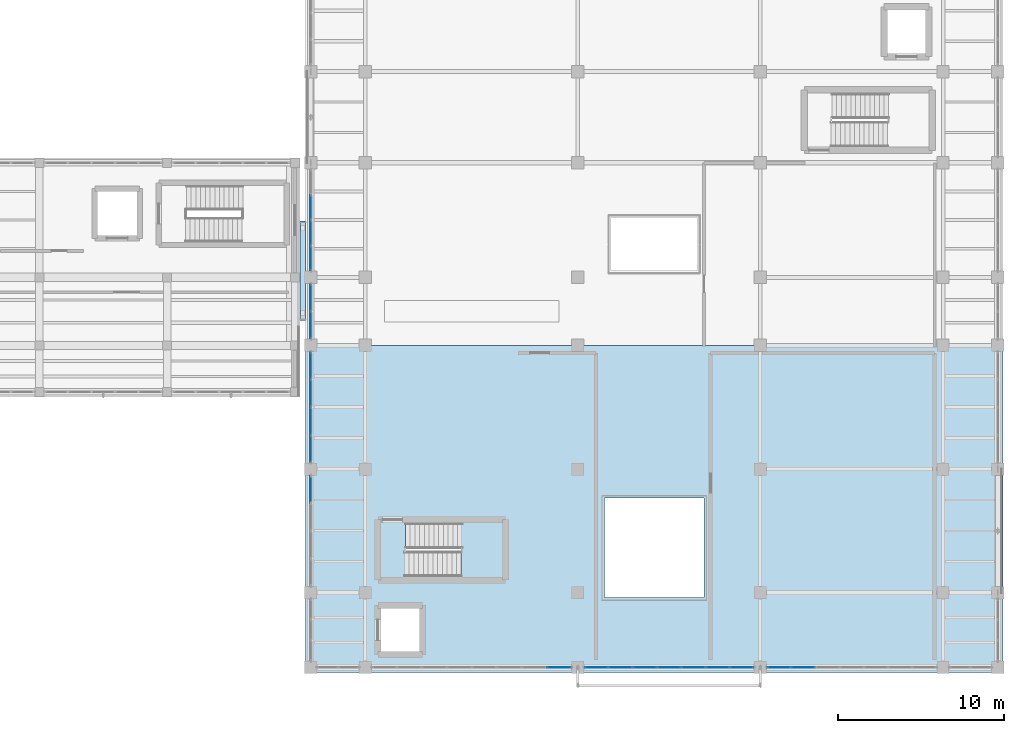
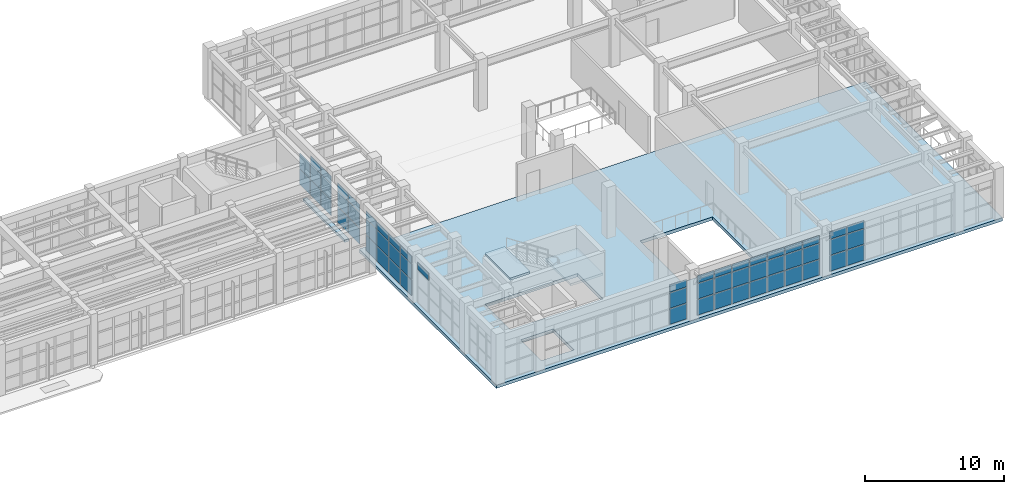
# One storey, part 59 of 85: 57 plates, 4 slabs, 8 elements without a shape of their own.
"""IFC4 building model written with IfcOpenShell, lengths in metres."""

from ifc_helpers import new_model, si_unit, direction, frame, origin, origin_2d, place, context, subcontext, project, spatial, polyline, rectangle, outline, extrude, material, layer, layer_set, type_object, element, aggregate, save


model = new_model("IFC4")

# Units and contexts
model_context = context("Model", 3, precision=1e-05, world=origin(), true_north=direction((0.0, 1.0)))
body_context = subcontext(model_context, "Body", "Model", "MODEL_VIEW")
ifc_project = project(units=[si_unit("LENGTHUNIT", "METRE"), si_unit("AREAUNIT", "SQUARE_METRE"), si_unit("VOLUMEUNIT", "CUBIC_METRE"), si_unit("PLANEANGLEUNIT", "RADIAN"), si_unit("MASSUNIT", "GRAM", prefix="KILO")], contexts=[model_context])

# Site, building, storey
site_placement = place(None, origin())
site = spatial("IfcSite", under=ifc_project, at=site_placement, CompositionType="ELEMENT")
building_placement = place(site_placement, origin())
building = spatial("IfcBuilding", under=site, at=building_placement, Name="Candilejo Ridge Gondola Terminal", CompositionType="ELEMENT")
storey_placement = place(building_placement, frame((0.0, 0.0, 4.5)))
storey = spatial("IfcBuildingStorey", under=building, at=storey_placement, Name="L01", CompositionType="ELEMENT", Elevation=4.5)

# Curtain wall, plate
ifc_material_1 = material(Name="Anodised aluminium AA 6063-T6", Category="aluminium")
ifc_layer_1 = layer(ifc_material_1, 0.169921875)
ifc_layer_set_1 = layer_set([ifc_layer_1], Name="ARC-CW-HALL-3800-670X359")
curtain_wall_type_1 = type_object("IfcCurtainWallType", Name="ARC-CW-HALL-3800-670X359", PredefinedType="NOTDEFINED", material=ifc_layer_set_1)
curtain_wall_1_placement = place(storey_placement, origin())
curtain_wall_1 = element("IfcCurtainWall", 1, at=curtain_wall_1_placement, inside=storey, type_object=curtain_wall_type_1, Name="Curtain wall V4 L01-112", PredefinedType="NOTDEFINED")
ifc_material_2 = material(Name="Low-E laminated double glazing 6+12A+6+1.52PVB+6 mm", Category="glass")
ifc_layer_2 = layer(ifc_material_2, 0.028076171875)
ifc_layer_set_2 = layer_set([ifc_layer_2], Name="ARC-CW-GLAZ-PANEL")
plate_type = type_object("IfcPlateType", Name="ARC-CW-GLAZ-PANEL", PredefinedType="CURTAIN_PANEL", material=ifc_layer_set_2)
plate_1_placement = place(storey_placement, frame((133.89990234375, 17.021240234375, 2.880126953125), z_axis=(0.0, 0.0, 1.0), x_axis=(0.0, 1.0, 0.0)))
plate_1 = element("IfcPlate", 2, at=plate_1_placement, type_object=plate_type, Name="CW-67X35 panel 4.3", PredefinedType="CURTAIN_PANEL", context=body_context, shape_type="SweptSolid", body=[
    extrude(rectangle(XDim=1.577392578125, YDim=0.028076171875, at=origin_2d()), origin(), (0.0, 0.0, 1.0), 0.64990234375),
])
aggregate(curtain_wall_1, [plate_1])

# Curtain wall, plates
curtain_wall_2_placement = place(storey_placement, origin())
curtain_wall_2 = element("IfcCurtainWall", 3, at=curtain_wall_2_placement, inside=storey, type_object=curtain_wall_type_1, Name="Curtain wall V4 L01-113", PredefinedType="NOTDEFINED")
plate_2_placement = place(storey_placement, frame((133.89990234375, 19.478759765625, 0.06005859375), z_axis=(0.0, 0.0, 1.0), x_axis=(0.0, 1.0, 0.0)))
plate_2 = element("IfcPlate", 4, at=plate_2_placement, type_object=plate_type, Name="CW-67X35 panel 1.1", PredefinedType="CURTAIN_PANEL", context=body_context, shape_type="SweptSolid", body=[
    extrude(rectangle(XDim=1.577392578125, YDim=0.028076171875, at=origin_2d()), origin(), (0.0, 0.0, 1.0), 1.360107421875),
])
plate_3_placement = place(storey_placement, frame((133.89990234375, 19.478759765625, 1.47998046875), z_axis=(0.0, 0.0, 1.0), x_axis=(0.0, 1.0, 0.0)))
plate_3 = element("IfcPlate", 5, at=plate_3_placement, type_object=plate_type, Name="CW-67X35 panel 1.2", PredefinedType="CURTAIN_PANEL", context=body_context, shape_type="SweptSolid", body=[
    extrude(rectangle(XDim=1.577392578125, YDim=0.028076171875, at=origin_2d()), origin(), (0.0, 0.0, 1.0), 1.340087890625),
])
plate_4_placement = place(storey_placement, frame((133.89990234375, 19.478759765625, 2.880126953125), z_axis=(0.0, 0.0, 1.0), x_axis=(0.0, 1.0, 0.0)))
plate_4 = element("IfcPlate", 6, at=plate_4_placement, type_object=plate_type, Name="CW-67X35 panel 1.3", PredefinedType="CURTAIN_PANEL", context=body_context, shape_type="SweptSolid", body=[
    extrude(rectangle(XDim=1.577392578125, YDim=0.028076171875, at=origin_2d()), origin(), (0.0, 0.0, 1.0), 0.64990234375),
])
plate_5_placement = place(storey_placement, frame((133.89990234375, 21.137451171875, 0.06005859375), z_axis=(0.0, 0.0, 1.0), x_axis=(0.0, 1.0, 0.0)))
plate_5 = element("IfcPlate", 7, at=plate_5_placement, type_object=plate_type, Name="CW-67X35 panel 2.1", PredefinedType="CURTAIN_PANEL", context=body_context, shape_type="SweptSolid", body=[
    extrude(rectangle(XDim=1.610107421875, YDim=0.028076171875, at=origin_2d()), origin(), (0.0, 0.0, 1.0), 1.360107421875),
])
plate_6_placement = place(storey_placement, frame((133.89990234375, 21.137451171875, 1.47998046875), z_axis=(0.0, 0.0, 1.0), x_axis=(0.0, 1.0, 0.0)))
plate_6 = element("IfcPlate", 8, at=plate_6_placement, type_object=plate_type, Name="CW-67X35 panel 2.2", PredefinedType="CURTAIN_PANEL", context=body_context, shape_type="SweptSolid", body=[
    extrude(rectangle(XDim=1.610107421875, YDim=0.028076171875, at=origin_2d()), origin(), (0.0, 0.0, 1.0), 1.340087890625),
])
plate_7_placement = place(storey_placement, frame((133.89990234375, 21.137451171875, 2.880126953125), z_axis=(0.0, 0.0, 1.0), x_axis=(0.0, 1.0, 0.0)))
plate_7 = element("IfcPlate", 9, at=plate_7_placement, type_object=plate_type, Name="CW-67X35 panel 2.3", PredefinedType="CURTAIN_PANEL", context=body_context, shape_type="SweptSolid", body=[
    extrude(rectangle(XDim=1.610107421875, YDim=0.028076171875, at=origin_2d()), origin(), (0.0, 0.0, 1.0), 0.64990234375),
])
plate_8_placement = place(storey_placement, frame((133.89990234375, 22.8125, 0.06005859375), z_axis=(0.0, 0.0, 1.0), x_axis=(0.0, 1.0, 0.0)))
plate_8 = element("IfcPlate", 10, at=plate_8_placement, type_object=plate_type, Name="CW-67X35 panel 3.1", PredefinedType="CURTAIN_PANEL", context=body_context, shape_type="SweptSolid", body=[
    extrude(rectangle(XDim=1.610107421875, YDim=0.028076171875, at=origin_2d()), origin(), (0.0, 0.0, 1.0), 1.360107421875),
])
plate_9_placement = place(storey_placement, frame((133.89990234375, 22.8125, 1.47998046875), z_axis=(0.0, 0.0, 1.0), x_axis=(0.0, 1.0, 0.0)))
plate_9 = element("IfcPlate", 11, at=plate_9_placement, type_object=plate_type, Name="CW-67X35 panel 3.2", PredefinedType="CURTAIN_PANEL", context=body_context, shape_type="SweptSolid", body=[
    extrude(rectangle(XDim=1.610107421875, YDim=0.028076171875, at=origin_2d()), origin(), (0.0, 0.0, 1.0), 1.340087890625),
])
plate_10_placement = place(storey_placement, frame((133.89990234375, 22.8125, 2.880126953125), z_axis=(0.0, 0.0, 1.0), x_axis=(0.0, 1.0, 0.0)))
plate_10 = element("IfcPlate", 12, at=plate_10_placement, type_object=plate_type, Name="CW-67X35 panel 3.3", PredefinedType="CURTAIN_PANEL", context=body_context, shape_type="SweptSolid", body=[
    extrude(rectangle(XDim=1.610107421875, YDim=0.028076171875, at=origin_2d()), origin(), (0.0, 0.0, 1.0), 0.64990234375),
])
plate_11_placement = place(storey_placement, frame((133.89990234375, 24.47119140625, 0.06005859375), z_axis=(0.0, 0.0, 1.0), x_axis=(0.0, 1.0, 0.0)))
plate_11 = element("IfcPlate", 13, at=plate_11_placement, type_object=plate_type, Name="CW-67X35 panel 4.1", PredefinedType="CURTAIN_PANEL", context=body_context, shape_type="SweptSolid", body=[
    extrude(rectangle(XDim=1.577392578125, YDim=0.028076171875, at=origin_2d()), origin(), (0.0, 0.0, 1.0), 1.360107421875),
])
plate_12_placement = place(storey_placement, frame((133.89990234375, 24.47119140625, 1.47998046875), z_axis=(0.0, 0.0, 1.0), x_axis=(0.0, 1.0, 0.0)))
plate_12 = element("IfcPlate", 14, at=plate_12_placement, type_object=plate_type, Name="CW-67X35 panel 4.2", PredefinedType="CURTAIN_PANEL", context=body_context, shape_type="SweptSolid", body=[
    extrude(rectangle(XDim=1.577392578125, YDim=0.028076171875, at=origin_2d()), origin(), (0.0, 0.0, 1.0), 1.340087890625),
])
plate_13_placement = place(storey_placement, frame((133.89990234375, 24.47119140625, 2.880126953125), z_axis=(0.0, 0.0, 1.0), x_axis=(0.0, 1.0, 0.0)))
plate_13 = element("IfcPlate", 15, at=plate_13_placement, type_object=plate_type, Name="CW-67X35 panel 4.3", PredefinedType="CURTAIN_PANEL", context=body_context, shape_type="SweptSolid", body=[
    extrude(rectangle(XDim=1.577392578125, YDim=0.028076171875, at=origin_2d()), origin(), (0.0, 0.0, 1.0), 0.64990234375),
])
aggregate(curtain_wall_2, [plate_2, plate_3, plate_4, plate_5, plate_6, plate_7, plate_8, plate_9, plate_10, plate_11, plate_12, plate_13])

ifc_material_3 = material(Name="Anodised aluminium AA 6063-T6", Category="aluminium")
ifc_layer_3 = layer(ifc_material_3, 0.169921875)
ifc_layer_set_3 = layer_set([ifc_layer_3], Name="ARC-CW-HALL-3800-335X359")
curtain_wall_type_2 = type_object("IfcCurtainWallType", Name="ARC-CW-HALL-3800-335X359", PredefinedType="NOTDEFINED", material=ifc_layer_set_3)
curtain_wall_3_placement = place(storey_placement, origin())
curtain_wall_3 = element("IfcCurtainWall", 16, at=curtain_wall_3_placement, inside=storey, type_object=curtain_wall_type_2, Name="Curtain wall V4 L01-115", PredefinedType="NOTDEFINED")
plate_14_placement = place(storey_placement, frame((133.89990234375, 26.9287109375, 0.06005859375), z_axis=(0.0, 0.0, 1.0), x_axis=(0.0, 1.0, 0.0)))
plate_14 = element("IfcPlate", 17, at=plate_14_placement, type_object=plate_type, Name="CW-33X35 panel 1.1", PredefinedType="CURTAIN_PANEL", context=body_context, shape_type="SweptSolid", body=[
    extrude(rectangle(XDim=1.577392578125, YDim=0.028076171875, at=origin_2d()), origin(), (0.0, 0.0, 1.0), 1.360107421875),
])
plate_15_placement = place(storey_placement, frame((133.89990234375, 26.9287109375, 1.47998046875), z_axis=(0.0, 0.0, 1.0), x_axis=(0.0, 1.0, 0.0)))
plate_15 = element("IfcPlate", 18, at=plate_15_placement, type_object=plate_type, Name="CW-33X35 panel 1.2", PredefinedType="CURTAIN_PANEL", context=body_context, shape_type="SweptSolid", body=[
    extrude(rectangle(XDim=1.577392578125, YDim=0.028076171875, at=origin_2d()), origin(), (0.0, 0.0, 1.0), 1.340087890625),
])
plate_16_placement = place(storey_placement, frame((133.89990234375, 26.9287109375, 2.880126953125), z_axis=(0.0, 0.0, 1.0), x_axis=(0.0, 1.0, 0.0)))
plate_16 = element("IfcPlate", 19, at=plate_16_placement, type_object=plate_type, Name="CW-33X35 panel 1.3", PredefinedType="CURTAIN_PANEL", context=body_context, shape_type="SweptSolid", body=[
    extrude(rectangle(XDim=1.577392578125, YDim=0.028076171875, at=origin_2d()), origin(), (0.0, 0.0, 1.0), 0.64990234375),
])
plate_17_placement = place(storey_placement, frame((133.89990234375, 28.5712890625, 0.06005859375), z_axis=(0.0, 0.0, 1.0), x_axis=(0.0, 1.0, 0.0)))
plate_17 = element("IfcPlate", 20, at=plate_17_placement, type_object=plate_type, Name="CW-33X35 panel 2.1", PredefinedType="CURTAIN_PANEL", context=body_context, shape_type="SweptSolid", body=[
    extrude(rectangle(XDim=1.577392578125, YDim=0.028076171875, at=origin_2d()), origin(), (0.0, 0.0, 1.0), 1.360107421875),
])
plate_18_placement = place(storey_placement, frame((133.89990234375, 28.5712890625, 1.47998046875), z_axis=(0.0, 0.0, 1.0), x_axis=(0.0, 1.0, 0.0)))
plate_18 = element("IfcPlate", 21, at=plate_18_placement, type_object=plate_type, Name="CW-33X35 panel 2.2", PredefinedType="CURTAIN_PANEL", context=body_context, shape_type="SweptSolid", body=[
    extrude(rectangle(XDim=1.577392578125, YDim=0.028076171875, at=origin_2d()), origin(), (0.0, 0.0, 1.0), 1.340087890625),
])
plate_19_placement = place(storey_placement, frame((133.89990234375, 28.5712890625, 2.880126953125), z_axis=(0.0, 0.0, 1.0), x_axis=(0.0, 1.0, 0.0)))
plate_19 = element("IfcPlate", 22, at=plate_19_placement, type_object=plate_type, Name="CW-33X35 panel 2.3", PredefinedType="CURTAIN_PANEL", context=body_context, shape_type="SweptSolid", body=[
    extrude(rectangle(XDim=1.577392578125, YDim=0.028076171875, at=origin_2d()), origin(), (0.0, 0.0, 1.0), 0.64990234375),
])
aggregate(curtain_wall_3, [plate_14, plate_15, plate_16, plate_17, plate_18, plate_19])

ifc_material_4 = material(Name="Anodised aluminium AA 6063-T6", Category="aluminium")
ifc_layer_4 = layer(ifc_material_4, 0.169921875)
ifc_layer_set_4 = layer_set([ifc_layer_4], Name="ARC-CW-HALL-3800-615X359")
curtain_wall_type_3 = type_object("IfcCurtainWallType", Name="ARC-CW-HALL-3800-615X359", PredefinedType="NOTDEFINED", material=ifc_layer_set_4)
curtain_wall_4_placement = place(storey_placement, origin())
curtain_wall_4 = element("IfcCurtainWall", 23, at=curtain_wall_4_placement, inside=storey, type_object=curtain_wall_type_3, Name="Curtain wall V4 L01-117", PredefinedType="NOTDEFINED")
plate_20_placement = place(storey_placement, frame((133.89990234375, 30.9599609375, 0.06005859375), z_axis=(0.0, 0.0, 1.0), x_axis=(0.0, 1.0, 0.0)))
plate_20 = element("IfcPlate", 24, at=plate_20_placement, type_object=plate_type, Name="CW-61X35 panel 1.1", PredefinedType="CURTAIN_PANEL", context=body_context, shape_type="SweptSolid", body=[
    extrude(rectangle(XDim=1.43994140625, YDim=0.028076171875, at=origin_2d()), origin(), (0.0, 0.0, 1.0), 1.360107421875),
])
plate_21_placement = place(storey_placement, frame((133.89990234375, 30.9599609375, 1.47998046875), z_axis=(0.0, 0.0, 1.0), x_axis=(0.0, 1.0, 0.0)))
plate_21 = element("IfcPlate", 25, at=plate_21_placement, type_object=plate_type, Name="CW-61X35 panel 1.2", PredefinedType="CURTAIN_PANEL", context=body_context, shape_type="SweptSolid", body=[
    extrude(rectangle(XDim=1.43994140625, YDim=0.028076171875, at=origin_2d()), origin(), (0.0, 0.0, 1.0), 1.340087890625),
])
plate_22_placement = place(storey_placement, frame((133.89990234375, 30.9599609375, 2.880126953125), z_axis=(0.0, 0.0, 1.0), x_axis=(0.0, 1.0, 0.0)))
plate_22 = element("IfcPlate", 26, at=plate_22_placement, type_object=plate_type, Name="CW-61X35 panel 1.3", PredefinedType="CURTAIN_PANEL", context=body_context, shape_type="SweptSolid", body=[
    extrude(rectangle(XDim=1.43994140625, YDim=0.028076171875, at=origin_2d()), origin(), (0.0, 0.0, 1.0), 0.64990234375),
])
plate_23_placement = place(storey_placement, frame((133.89990234375, 32.481201171875, 0.06005859375), z_axis=(0.0, 0.0, 1.0), x_axis=(0.0, 1.0, 0.0)))
plate_23 = element("IfcPlate", 27, at=plate_23_placement, type_object=plate_type, Name="CW-61X35 panel 2.1", PredefinedType="CURTAIN_PANEL", context=body_context, shape_type="SweptSolid", body=[
    extrude(rectangle(XDim=1.472412109375, YDim=0.028076171875, at=origin_2d()), origin(), (0.0, 0.0, 1.0), 1.360107421875),
])
plate_24_placement = place(storey_placement, frame((133.89990234375, 32.481201171875, 1.47998046875), z_axis=(0.0, 0.0, 1.0), x_axis=(0.0, 1.0, 0.0)))
plate_24 = element("IfcPlate", 28, at=plate_24_placement, type_object=plate_type, Name="CW-61X35 panel 2.2", PredefinedType="CURTAIN_PANEL", context=body_context, shape_type="SweptSolid", body=[
    extrude(rectangle(XDim=1.472412109375, YDim=0.028076171875, at=origin_2d()), origin(), (0.0, 0.0, 1.0), 1.340087890625),
])
plate_25_placement = place(storey_placement, frame((133.89990234375, 32.481201171875, 2.880126953125), z_axis=(0.0, 0.0, 1.0), x_axis=(0.0, 1.0, 0.0)))
plate_25 = element("IfcPlate", 29, at=plate_25_placement, type_object=plate_type, Name="CW-61X35 panel 2.3", PredefinedType="CURTAIN_PANEL", context=body_context, shape_type="SweptSolid", body=[
    extrude(rectangle(XDim=1.472412109375, YDim=0.028076171875, at=origin_2d()), origin(), (0.0, 0.0, 1.0), 0.64990234375),
])
plate_26_placement = place(storey_placement, frame((133.89990234375, 34.018798828125, 0.06005859375), z_axis=(0.0, 0.0, 1.0), x_axis=(0.0, 1.0, 0.0)))
plate_26 = element("IfcPlate", 30, at=plate_26_placement, type_object=plate_type, Name="CW-61X35 panel 3.1", PredefinedType="CURTAIN_PANEL", context=body_context, shape_type="SweptSolid", body=[
    extrude(rectangle(XDim=1.472412109375, YDim=0.028076171875, at=origin_2d()), origin(), (0.0, 0.0, 1.0), 1.360107421875),
])
plate_27_placement = place(storey_placement, frame((133.89990234375, 34.018798828125, 1.47998046875), z_axis=(0.0, 0.0, 1.0), x_axis=(0.0, 1.0, 0.0)))
plate_27 = element("IfcPlate", 31, at=plate_27_placement, type_object=plate_type, Name="CW-61X35 panel 3.2", PredefinedType="CURTAIN_PANEL", context=body_context, shape_type="SweptSolid", body=[
    extrude(rectangle(XDim=1.472412109375, YDim=0.028076171875, at=origin_2d()), origin(), (0.0, 0.0, 1.0), 1.340087890625),
])
aggregate(curtain_wall_4, [plate_20, plate_21, plate_22, plate_23, plate_24, plate_25, plate_26, plate_27])

ifc_material_5 = material(Name="Anodised aluminium AA 6063-T6", Category="aluminium")
ifc_layer_5 = layer(ifc_material_5, 0.169921875)
ifc_layer_set_5 = layer_set([ifc_layer_5], Name="ARC-CW-HALL-3800-1205X359")
curtain_wall_type_4 = type_object("IfcCurtainWallType", Name="ARC-CW-HALL-3800-1205X359", PredefinedType="NOTDEFINED", material=ifc_layer_set_5)
curtain_wall_5_placement = place(storey_placement, origin())
curtain_wall_5 = element("IfcCurtainWall", 32, at=curtain_wall_5_placement, inside=storey, type_object=curtain_wall_type_4, Name="Curtain wall V4 L01-124", PredefinedType="NOTDEFINED")
plate_28_placement = place(storey_placement, frame((148.855712890625, 6.300048828125, 0.06005859375), z_axis=(0.0, 0.0, 1.0), x_axis=(1.0, 0.0, 0.0)))
plate_28 = element("IfcPlate", 33, at=plate_28_placement, type_object=plate_type, Name="CW-120X35 panel 8.1", PredefinedType="CURTAIN_PANEL", context=body_context, shape_type="SweptSolid", body=[
    extrude(rectangle(XDim=1.40869140625, YDim=0.028076171875, at=origin_2d()), origin(), (0.0, 0.0, 1.0), 1.360107421875),
])
plate_29_placement = place(storey_placement, frame((148.855712890625, 6.300048828125, 1.47998046875), z_axis=(0.0, 0.0, 1.0), x_axis=(1.0, 0.0, 0.0)))
plate_29 = element("IfcPlate", 34, at=plate_29_placement, type_object=plate_type, Name="CW-120X35 panel 8.2", PredefinedType="CURTAIN_PANEL", context=body_context, shape_type="SweptSolid", body=[
    extrude(rectangle(XDim=1.40869140625, YDim=0.028076171875, at=origin_2d()), origin(), (0.0, 0.0, 1.0), 1.340087890625),
])
plate_30_placement = place(storey_placement, frame((148.855712890625, 6.300048828125, 2.880126953125), z_axis=(0.0, 0.0, 1.0), x_axis=(1.0, 0.0, 0.0)))
plate_30 = element("IfcPlate", 35, at=plate_30_placement, type_object=plate_type, Name="CW-120X35 panel 8.3", PredefinedType="CURTAIN_PANEL", context=body_context, shape_type="SweptSolid", body=[
    extrude(rectangle(XDim=1.40869140625, YDim=0.028076171875, at=origin_2d()), origin(), (0.0, 0.0, 1.0), 0.64990234375),
])
aggregate(curtain_wall_5, [plate_28, plate_29, plate_30])

ifc_material_6 = material(Name="Anodised aluminium AA 6063-T6", Category="aluminium")
ifc_layer_6 = layer(ifc_material_6, 0.169921875)
ifc_layer_set_6 = layer_set([ifc_layer_6], Name="ARC-CW-HALL-3800-1025X359")
curtain_wall_type_5 = type_object("IfcCurtainWallType", Name="ARC-CW-HALL-3800-1025X359", PredefinedType="NOTDEFINED", material=ifc_layer_set_6)
curtain_wall_6_placement = place(storey_placement, origin())
curtain_wall_6 = element("IfcCurtainWall", 36, at=curtain_wall_6_placement, inside=storey, type_object=curtain_wall_type_5, Name="Curtain wall V4 L01-126", PredefinedType="NOTDEFINED")
plate_31_placement = place(storey_placement, frame((151.123291015625, 6.300048828125, 0.06005859375), z_axis=(0.0, 0.0, 1.0), x_axis=(1.0, 0.0, 0.0)))
plate_31 = element("IfcPlate", 37, at=plate_31_placement, type_object=plate_type, Name="CW-102X35 panel 1.1", PredefinedType="CURTAIN_PANEL", context=body_context, shape_type="SweptSolid", body=[
    extrude(rectangle(XDim=1.36669921875, YDim=0.028076171875, at=origin_2d()), origin(), (0.0, 0.0, 1.0), 1.360107421875),
])
plate_32_placement = place(storey_placement, frame((151.123291015625, 6.300048828125, 1.47998046875), z_axis=(0.0, 0.0, 1.0), x_axis=(1.0, 0.0, 0.0)))
plate_32 = element("IfcPlate", 38, at=plate_32_placement, type_object=plate_type, Name="CW-102X35 panel 1.2", PredefinedType="CURTAIN_PANEL", context=body_context, shape_type="SweptSolid", body=[
    extrude(rectangle(XDim=1.36669921875, YDim=0.028076171875, at=origin_2d()), origin(), (0.0, 0.0, 1.0), 1.340087890625),
])
plate_33_placement = place(storey_placement, frame((151.123291015625, 6.300048828125, 2.880126953125), z_axis=(0.0, 0.0, 1.0), x_axis=(1.0, 0.0, 0.0)))
plate_33 = element("IfcPlate", 39, at=plate_33_placement, type_object=plate_type, Name="CW-102X35 panel 1.3", PredefinedType="CURTAIN_PANEL", context=body_context, shape_type="SweptSolid", body=[
    extrude(rectangle(XDim=1.36669921875, YDim=0.028076171875, at=origin_2d()), origin(), (0.0, 0.0, 1.0), 0.64990234375),
])
plate_34_placement = place(storey_placement, frame((152.571533203125, 6.300048828125, 0.06005859375), z_axis=(0.0, 0.0, 1.0), x_axis=(1.0, 0.0, 0.0)))
plate_34 = element("IfcPlate", 40, at=plate_34_placement, type_object=plate_type, Name="CW-102X35 panel 2.1", PredefinedType="CURTAIN_PANEL", context=body_context, shape_type="SweptSolid", body=[
    extrude(rectangle(XDim=1.399169921875, YDim=0.028076171875, at=origin_2d()), origin(), (0.0, 0.0, 1.0), 1.360107421875),
])
plate_35_placement = place(storey_placement, frame((152.571533203125, 6.300048828125, 1.47998046875), z_axis=(0.0, 0.0, 1.0), x_axis=(1.0, 0.0, 0.0)))
plate_35 = element("IfcPlate", 41, at=plate_35_placement, type_object=plate_type, Name="CW-102X35 panel 2.2", PredefinedType="CURTAIN_PANEL", context=body_context, shape_type="SweptSolid", body=[
    extrude(rectangle(XDim=1.399169921875, YDim=0.028076171875, at=origin_2d()), origin(), (0.0, 0.0, 1.0), 1.340087890625),
])
plate_36_placement = place(storey_placement, frame((152.571533203125, 6.300048828125, 2.880126953125), z_axis=(0.0, 0.0, 1.0), x_axis=(1.0, 0.0, 0.0)))
plate_36 = element("IfcPlate", 42, at=plate_36_placement, type_object=plate_type, Name="CW-102X35 panel 2.3", PredefinedType="CURTAIN_PANEL", context=body_context, shape_type="SweptSolid", body=[
    extrude(rectangle(XDim=1.399169921875, YDim=0.028076171875, at=origin_2d()), origin(), (0.0, 0.0, 1.0), 0.64990234375),
])
plate_37_placement = place(storey_placement, frame((154.03564453125, 6.300048828125, 0.06005859375), z_axis=(0.0, 0.0, 1.0), x_axis=(1.0, 0.0, 0.0)))
plate_37 = element("IfcPlate", 43, at=plate_37_placement, type_object=plate_type, Name="CW-102X35 panel 3.1", PredefinedType="CURTAIN_PANEL", context=body_context, shape_type="SweptSolid", body=[
    extrude(rectangle(XDim=1.399169921875, YDim=0.028076171875, at=origin_2d()), origin(), (0.0, 0.0, 1.0), 1.360107421875),
])
plate_38_placement = place(storey_placement, frame((154.03564453125, 6.300048828125, 1.47998046875), z_axis=(0.0, 0.0, 1.0), x_axis=(1.0, 0.0, 0.0)))
plate_38 = element("IfcPlate", 44, at=plate_38_placement, type_object=plate_type, Name="CW-102X35 panel 3.2", PredefinedType="CURTAIN_PANEL", context=body_context, shape_type="SweptSolid", body=[
    extrude(rectangle(XDim=1.399169921875, YDim=0.028076171875, at=origin_2d()), origin(), (0.0, 0.0, 1.0), 1.340087890625),
])
plate_39_placement = place(storey_placement, frame((154.03564453125, 6.300048828125, 2.880126953125), z_axis=(0.0, 0.0, 1.0), x_axis=(1.0, 0.0, 0.0)))
plate_39 = element("IfcPlate", 45, at=plate_39_placement, type_object=plate_type, Name="CW-102X35 panel 3.3", PredefinedType="CURTAIN_PANEL", context=body_context, shape_type="SweptSolid", body=[
    extrude(rectangle(XDim=1.399169921875, YDim=0.028076171875, at=origin_2d()), origin(), (0.0, 0.0, 1.0), 0.64990234375),
])
plate_40_placement = place(storey_placement, frame((155.5, 6.300048828125, 0.06005859375), z_axis=(0.0, 0.0, 1.0), x_axis=(1.0, 0.0, 0.0)))
plate_40 = element("IfcPlate", 46, at=plate_40_placement, type_object=plate_type, Name="CW-102X35 panel 4.1", PredefinedType="CURTAIN_PANEL", context=body_context, shape_type="SweptSolid", body=[
    extrude(rectangle(XDim=1.399169921875, YDim=0.028076171875, at=origin_2d()), origin(), (0.0, 0.0, 1.0), 1.360107421875),
])
plate_41_placement = place(storey_placement, frame((155.5, 6.300048828125, 1.47998046875), z_axis=(0.0, 0.0, 1.0), x_axis=(1.0, 0.0, 0.0)))
plate_41 = element("IfcPlate", 47, at=plate_41_placement, type_object=plate_type, Name="CW-102X35 panel 4.2", PredefinedType="CURTAIN_PANEL", context=body_context, shape_type="SweptSolid", body=[
    extrude(rectangle(XDim=1.399169921875, YDim=0.028076171875, at=origin_2d()), origin(), (0.0, 0.0, 1.0), 1.340087890625),
])
plate_42_placement = place(storey_placement, frame((155.5, 6.300048828125, 2.880126953125), z_axis=(0.0, 0.0, 1.0), x_axis=(1.0, 0.0, 0.0)))
plate_42 = element("IfcPlate", 48, at=plate_42_placement, type_object=plate_type, Name="CW-102X35 panel 4.3", PredefinedType="CURTAIN_PANEL", context=body_context, shape_type="SweptSolid", body=[
    extrude(rectangle(XDim=1.399169921875, YDim=0.028076171875, at=origin_2d()), origin(), (0.0, 0.0, 1.0), 0.64990234375),
])
plate_43_placement = place(storey_placement, frame((156.96435546875, 6.300048828125, 0.06005859375), z_axis=(0.0, 0.0, 1.0), x_axis=(1.0, 0.0, 0.0)))
plate_43 = element("IfcPlate", 49, at=plate_43_placement, type_object=plate_type, Name="CW-102X35 panel 5.1", PredefinedType="CURTAIN_PANEL", context=body_context, shape_type="SweptSolid", body=[
    extrude(rectangle(XDim=1.399169921875, YDim=0.028076171875, at=origin_2d()), origin(), (0.0, 0.0, 1.0), 1.360107421875),
])
plate_44_placement = place(storey_placement, frame((156.96435546875, 6.300048828125, 1.47998046875), z_axis=(0.0, 0.0, 1.0), x_axis=(1.0, 0.0, 0.0)))
plate_44 = element("IfcPlate", 50, at=plate_44_placement, type_object=plate_type, Name="CW-102X35 panel 5.2", PredefinedType="CURTAIN_PANEL", context=body_context, shape_type="SweptSolid", body=[
    extrude(rectangle(XDim=1.399169921875, YDim=0.028076171875, at=origin_2d()), origin(), (0.0, 0.0, 1.0), 1.340087890625),
])
plate_45_placement = place(storey_placement, frame((156.96435546875, 6.300048828125, 2.880126953125), z_axis=(0.0, 0.0, 1.0), x_axis=(1.0, 0.0, 0.0)))
plate_45 = element("IfcPlate", 51, at=plate_45_placement, type_object=plate_type, Name="CW-102X35 panel 5.3", PredefinedType="CURTAIN_PANEL", context=body_context, shape_type="SweptSolid", body=[
    extrude(rectangle(XDim=1.399169921875, YDim=0.028076171875, at=origin_2d()), origin(), (0.0, 0.0, 1.0), 0.64990234375),
])
plate_46_placement = place(storey_placement, frame((158.428466796875, 6.300048828125, 0.06005859375), z_axis=(0.0, 0.0, 1.0), x_axis=(1.0, 0.0, 0.0)))
plate_46 = element("IfcPlate", 52, at=plate_46_placement, type_object=plate_type, Name="CW-102X35 panel 6.1", PredefinedType="CURTAIN_PANEL", context=body_context, shape_type="SweptSolid", body=[
    extrude(rectangle(XDim=1.399169921875, YDim=0.028076171875, at=origin_2d()), origin(), (0.0, 0.0, 1.0), 1.360107421875),
])
plate_47_placement = place(storey_placement, frame((158.428466796875, 6.300048828125, 1.47998046875), z_axis=(0.0, 0.0, 1.0), x_axis=(1.0, 0.0, 0.0)))
plate_47 = element("IfcPlate", 53, at=plate_47_placement, type_object=plate_type, Name="CW-102X35 panel 6.2", PredefinedType="CURTAIN_PANEL", context=body_context, shape_type="SweptSolid", body=[
    extrude(rectangle(XDim=1.399169921875, YDim=0.028076171875, at=origin_2d()), origin(), (0.0, 0.0, 1.0), 1.340087890625),
])
plate_48_placement = place(storey_placement, frame((158.428466796875, 6.300048828125, 2.880126953125), z_axis=(0.0, 0.0, 1.0), x_axis=(1.0, 0.0, 0.0)))
plate_48 = element("IfcPlate", 54, at=plate_48_placement, type_object=plate_type, Name="CW-102X35 panel 6.3", PredefinedType="CURTAIN_PANEL", context=body_context, shape_type="SweptSolid", body=[
    extrude(rectangle(XDim=1.399169921875, YDim=0.028076171875, at=origin_2d()), origin(), (0.0, 0.0, 1.0), 0.64990234375),
])
plate_49_placement = place(storey_placement, frame((159.876708984375, 6.300048828125, 0.06005859375), z_axis=(0.0, 0.0, 1.0), x_axis=(1.0, 0.0, 0.0)))
plate_49 = element("IfcPlate", 55, at=plate_49_placement, type_object=plate_type, Name="CW-102X35 panel 7.1", PredefinedType="CURTAIN_PANEL", context=body_context, shape_type="SweptSolid", body=[
    extrude(rectangle(XDim=1.36669921875, YDim=0.028076171875, at=origin_2d()), origin(), (0.0, 0.0, 1.0), 1.360107421875),
])
plate_50_placement = place(storey_placement, frame((159.876708984375, 6.300048828125, 1.47998046875), z_axis=(0.0, 0.0, 1.0), x_axis=(1.0, 0.0, 0.0)))
plate_50 = element("IfcPlate", 56, at=plate_50_placement, type_object=plate_type, Name="CW-102X35 panel 7.2", PredefinedType="CURTAIN_PANEL", context=body_context, shape_type="SweptSolid", body=[
    extrude(rectangle(XDim=1.36669921875, YDim=0.028076171875, at=origin_2d()), origin(), (0.0, 0.0, 1.0), 1.340087890625),
])
plate_51_placement = place(storey_placement, frame((159.876708984375, 6.300048828125, 2.880126953125), z_axis=(0.0, 0.0, 1.0), x_axis=(1.0, 0.0, 0.0)))
plate_51 = element("IfcPlate", 57, at=plate_51_placement, type_object=plate_type, Name="CW-102X35 panel 7.3", PredefinedType="CURTAIN_PANEL", context=body_context, shape_type="SweptSolid", body=[
    extrude(rectangle(XDim=1.36669921875, YDim=0.028076171875, at=origin_2d()), origin(), (0.0, 0.0, 1.0), 0.64990234375),
])
aggregate(curtain_wall_6, [plate_31, plate_32, plate_33, plate_34, plate_35, plate_36, plate_37, plate_38, plate_39, plate_40, plate_41, plate_42, plate_43, plate_44, plate_45, plate_46, plate_47, plate_48, plate_49, plate_50, plate_51])

curtain_wall_7_placement = place(storey_placement, origin())
curtain_wall_7 = element("IfcCurtainWall", 58, at=curtain_wall_7_placement, inside=storey, type_object=curtain_wall_type_5, Name="Curtain wall V4 L01-128", PredefinedType="NOTDEFINED")
plate_52_placement = place(storey_placement, frame((162.123291015625, 6.300048828125, 0.06005859375), z_axis=(0.0, 0.0, 1.0), x_axis=(1.0, 0.0, 0.0)))
plate_52 = element("IfcPlate", 59, at=plate_52_placement, type_object=plate_type, Name="CW-102X35 panel 1.1", PredefinedType="CURTAIN_PANEL", context=body_context, shape_type="SweptSolid", body=[
    extrude(rectangle(XDim=1.36669921875, YDim=0.028076171875, at=origin_2d()), origin(), (0.0, 0.0, 1.0), 1.360107421875),
])
plate_53_placement = place(storey_placement, frame((162.123291015625, 6.300048828125, 1.47998046875), z_axis=(0.0, 0.0, 1.0), x_axis=(1.0, 0.0, 0.0)))
plate_53 = element("IfcPlate", 60, at=plate_53_placement, type_object=plate_type, Name="CW-102X35 panel 1.2", PredefinedType="CURTAIN_PANEL", context=body_context, shape_type="SweptSolid", body=[
    extrude(rectangle(XDim=1.36669921875, YDim=0.028076171875, at=origin_2d()), origin(), (0.0, 0.0, 1.0), 1.340087890625),
])
plate_54_placement = place(storey_placement, frame((162.123291015625, 6.300048828125, 2.880126953125), z_axis=(0.0, 0.0, 1.0), x_axis=(1.0, 0.0, 0.0)))
plate_54 = element("IfcPlate", 61, at=plate_54_placement, type_object=plate_type, Name="CW-102X35 panel 1.3", PredefinedType="CURTAIN_PANEL", context=body_context, shape_type="SweptSolid", body=[
    extrude(rectangle(XDim=1.36669921875, YDim=0.028076171875, at=origin_2d()), origin(), (0.0, 0.0, 1.0), 0.64990234375),
])
plate_55_placement = place(storey_placement, frame((163.571533203125, 6.300048828125, 0.06005859375), z_axis=(0.0, 0.0, 1.0), x_axis=(1.0, 0.0, 0.0)))
plate_55 = element("IfcPlate", 62, at=plate_55_placement, type_object=plate_type, Name="CW-102X35 panel 2.1", PredefinedType="CURTAIN_PANEL", context=body_context, shape_type="SweptSolid", body=[
    extrude(rectangle(XDim=1.399169921875, YDim=0.028076171875, at=origin_2d()), origin(), (0.0, 0.0, 1.0), 1.360107421875),
])
plate_56_placement = place(storey_placement, frame((163.571533203125, 6.300048828125, 1.47998046875), z_axis=(0.0, 0.0, 1.0), x_axis=(1.0, 0.0, 0.0)))
plate_56 = element("IfcPlate", 63, at=plate_56_placement, type_object=plate_type, Name="CW-102X35 panel 2.2", PredefinedType="CURTAIN_PANEL", context=body_context, shape_type="SweptSolid", body=[
    extrude(rectangle(XDim=1.399169921875, YDim=0.028076171875, at=origin_2d()), origin(), (0.0, 0.0, 1.0), 1.340087890625),
])
plate_57_placement = place(storey_placement, frame((163.571533203125, 6.300048828125, 2.880126953125), z_axis=(0.0, 0.0, 1.0), x_axis=(1.0, 0.0, 0.0)))
plate_57 = element("IfcPlate", 64, at=plate_57_placement, type_object=plate_type, Name="CW-102X35 panel 2.3", PredefinedType="CURTAIN_PANEL", context=body_context, shape_type="SweptSolid", body=[
    extrude(rectangle(XDim=1.399169921875, YDim=0.028076171875, at=origin_2d()), origin(), (0.0, 0.0, 1.0), 0.64990234375),
])
aggregate(curtain_wall_7, [plate_52, plate_53, plate_54, plate_55, plate_56, plate_57])

# Slabs
ifc_material_7 = material(Name="Concrete f'c 35 MPa (C35/45)", Category="concrete")
ifc_layer_7 = layer(ifc_material_7, 0.219970703125)
ifc_layer_set_7 = layer_set([ifc_layer_7], Name="STR-BRIDGE-SLAB-220")
slab_type_1 = type_object("IfcSlabType", Name="STR-BRIDGE-SLAB-220", PredefinedType="FLOOR", material=ifc_layer_set_7)
slab_1_placement = place(storey_placement, frame((0.0, 0.0, -0.219970703125)))
element("IfcSlab", 65, at=slab_1_placement, inside=storey, type_object=slab_type_1, Name="Slab SLB-LB-SJ3-L01", PredefinedType="FLOOR", context=body_context, shape_type="SweptSolid", body=[
    extrude(outline(polyline([(133.25, 27.199951171875), (133.60009765625, 27.199951171875), (133.60009765625, 33.199951171875), (133.25, 33.199951171875), (133.25, 27.199951171875)])), origin(), (0.0, 0.0, 1.0), 0.219970703125),
])
ifc_material_8 = material(Name="Concrete f'c 35 MPa (C35/45)", Category="concrete")
ifc_layer_8 = layer(ifc_material_8, 0.284912109375)
ifc_layer_set_8 = layer_set([ifc_layer_8], Name="STR-FLOOR-SLAB-285")
slab_type_2 = type_object("IfcSlabType", Name="STR-FLOOR-SLAB-285", PredefinedType="FLOOR", material=ifc_layer_set_8)
slab_2_placement = place(storey_placement, frame((0.0, 0.0, -0.284912109375)))
element("IfcSlab", 66, at=slab_2_placement, inside=storey, type_object=slab_type_2, Name="Slab SLB-V4-L01-S", PredefinedType="FLOOR", context=body_context, shape_type="SweptSolid", body=[
    extrude(outline(polyline([(133.60009765625, 6.0), (175.60009765625, 6.0), (175.60009765625, 25.699951171875), (133.60009765625, 25.699951171875), (133.60009765625, 6.0)]), holes=[polyline([(137.949951171875, 11.550048828125), (145.64990234375, 11.550048828125), (145.64990234375, 15.199951171875), (137.949951171875, 15.199951171875), (137.949951171875, 11.550048828125)]), polyline([(137.949951171875, 7.050048828125), (140.64990234375, 7.050048828125), (140.64990234375, 10.050048828125), (137.949951171875, 10.050048828125), (137.949951171875, 7.050048828125)]), polyline([(151.60009765625, 10.5), (157.60009765625, 10.5), (157.60009765625, 16.5), (151.60009765625, 16.5), (151.60009765625, 10.5)])]), origin(), (0.0, 0.0, 1.0), 0.284912109375),
])

# Stair, slabs
ifc_material_9 = material(Name="Concrete f'c 35 MPa (C35/45)", Category="concrete")
stair_type = type_object("IfcStairType", Name="STR-STAIR-1500-4500", PredefinedType="HALF_TURN_STAIR", material=ifc_material_9)
stair_placement = place(storey_placement, origin())
stair = element("IfcStair", 67, at=stair_placement, inside=storey, type_object=stair_type, Name="Enclosed fire exit stair ST-V4A-L01", PredefinedType="HALF_TURN_STAIR")
ifc_material_10 = material(Name="Concrete f'c 35 MPa (C35/45)", Category="concrete")
ifc_layer_9 = layer(ifc_material_10, 0.199951171875)
ifc_layer_set_9 = layer_set([ifc_layer_9], Name="STR-STAIR-LANDING-200")
slab_type_3 = type_object("IfcSlabType", Name="STR-STAIR-LANDING-200", PredefinedType="LANDING", material=ifc_layer_set_9)
slab_3_placement = place(storey_placement, frame((0.0, 0.0, 2.050048828125)))
slab_3 = element("IfcSlab", 68, at=slab_3_placement, type_object=slab_type_3, Name="Stair half-landing ST-V4A-LND-02", PredefinedType="LANDING", context=body_context, shape_type="SweptSolid", body=[
    extrude(outline(polyline([(142.969970703125, 11.550048828125), (145.64990234375, 11.550048828125), (145.64990234375, 15.199951171875), (142.969970703125, 15.199951171875), (142.969970703125, 11.550048828125)])), origin(), (0.0, 0.0, 1.0), 0.199951171875),
])
slab_4_placement = place(storey_placement, frame((0.0, 0.0, 4.300048828125)))
slab_4 = element("IfcSlab", 69, at=slab_4_placement, type_object=slab_type_3, Name="Stair floor landing ST-V4A-L01-ARR-L02", PredefinedType="LANDING", context=body_context, shape_type="SweptSolid", body=[
    extrude(outline(polyline([(137.949951171875, 11.550048828125), (139.610107421875, 11.550048828125), (139.610107421875, 15.199951171875), (137.949951171875, 15.199951171875), (137.949951171875, 11.550048828125)])), origin(), (0.0, 0.0, 1.0), 0.199951171875),
])
aggregate(stair, [slab_3, slab_4])

save(model, "model.ifc")
